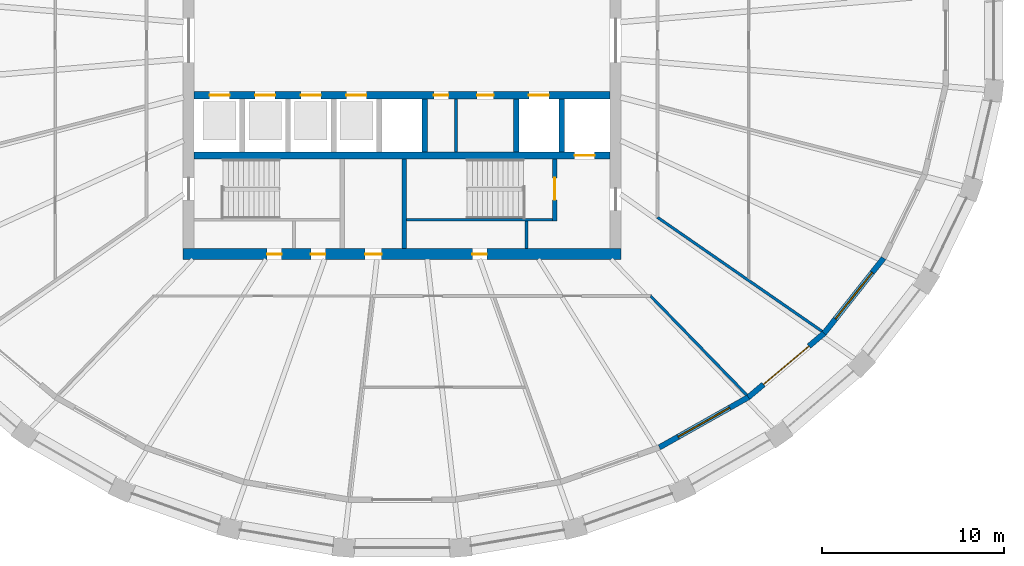
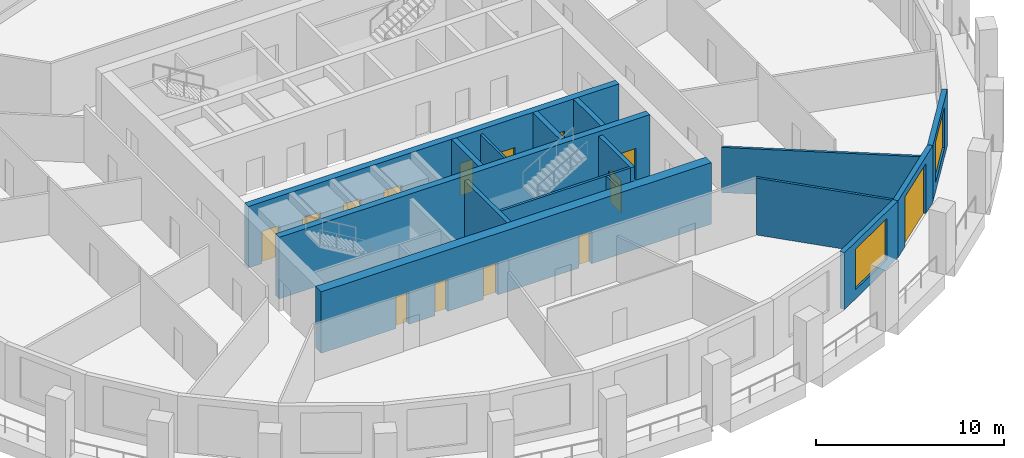
# One storey, part 4 of 10: 16 walls, 14 doors, 2 windows, 16 openings.
"""IFC4 building model written with IfcOpenShell, lengths in metres."""

from ifc_helpers import new_model, si_unit, direction, frame, frame_2d, origin, place, context, subcontext, project, spatial, polyline, rectangle, outline, extrude, material, layer, layer_set, type_object, element, fill, save


model = new_model("IFC4")

# Units and contexts
model_context = context("Model", 3, precision=1e-05, world=origin(), true_north=direction((0.0, 1.0)))
body_context = subcontext(model_context, "Body", "Model", "MODEL_VIEW")
ifc_project = project(units=[si_unit("LENGTHUNIT", "METRE"), si_unit("AREAUNIT", "SQUARE_METRE"), si_unit("VOLUMEUNIT", "CUBIC_METRE"), si_unit("PLANEANGLEUNIT", "RADIAN"), si_unit("MASSUNIT", "GRAM", prefix="KILO")], contexts=[model_context])

# Site, building, storey
site_placement = place(None, origin())
site = spatial("IfcSite", under=ifc_project, at=site_placement, CompositionType="ELEMENT")
building_placement = place(site_placement, origin())
building = spatial("IfcBuilding", under=site, at=building_placement, Name="Halqa Exchange Tower", CompositionType="ELEMENT")
storey_placement = place(building_placement, frame((0.0, 0.0, 190.89990234375)))
storey = spatial("IfcBuildingStorey", under=building, at=storey_placement, Name="L43", CompositionType="ELEMENT", Elevation=190.89990234375)

# Walls
ifc_material_1 = material(Name="Fire-rated gypsum board")
ifc_layer_1 = layer(ifc_material_1, 0.14990234375)
ifc_layer_set_1 = layer_set([ifc_layer_1], Name="Fire-rated gypsum board")
wall_type_1 = type_object("IfcWallType", Name="Fire partition EI 60 150", PredefinedType="PARTITIONING", material=ifc_layer_set_1)
wall_1_placement = place(storey_placement, frame((13.9677734375, -9.66748046875, 0.0), z_axis=(0.0, 0.0, 1.0), x_axis=(0.822097241007, -0.569347105313, 0.0)))
element("IfcWall", 1, at=wall_1_placement, inside=storey, type_object=wall_type_1, Name="L43-PWL-021", PredefinedType="PARTITIONING", context=body_context, shape_type="SweptSolid", body=[
    extrude(outline(polyline([(0.000244140625, -0.074951171875), (1.832275390625, -0.074951171875), (3.664306640625, -0.074951171875), (5.496337890625, -0.074951171875), (7.328125, -0.074951171875), (9.16015625, -0.074951171875), (10.9921875, -0.074951171875), (11.011962890625, -0.002197265625), (11.0166015625, 0.06982421875), (11.0166015625, 0.074951171875), (9.34912109375, 0.074951171875), (7.681640625, 0.074951171875), (6.01416015625, 0.074951171875), (6.01025390625, 0.072265625), (6.008544921875, 0.074951171875), (4.031982421875, 0.074951171875), (2.05517578125, 0.074951171875), (0.07861328125, 0.074951171875), (0.039306640625, -0.000244140625), (0.000244140625, -0.074951171875)])), origin(), (0.0, 0.0, 1.0), 2.947021484375),
])
wall_2_placement = place(storey_placement, frame((18.89306640625, -19.427001953125, 0.0), z_axis=(0.0, 0.0, 1.0), x_axis=(-0.696864554069, 0.717202756048, 0.0)))
element("IfcWall", 2, at=wall_2_placement, inside=storey, type_object=wall_type_1, Name="L43-PWL-025", PredefinedType="PARTITIONING", context=body_context, shape_type="SweptSolid", body=[
    extrude(outline(polyline([(0.0, -0.074951171875), (1.899658203125, -0.074951171875), (3.79931640625, -0.074951171875), (5.698974609375, -0.074951171875), (7.5986328125, -0.074951171875), (7.56689453125, 0.0), (7.53515625, 0.074951171875), (5.65771484375, 0.074951171875), (3.7802734375, 0.074951171875), (1.90283203125, 0.074951171875), (0.025390625, 0.074951171875), (0.0048828125, -0.002685546875), (0.0, -0.072998046875), (0.0, -0.074951171875)])), origin(), (0.0, 0.0, 1.0), 3.7001953125),
])
ifc_material_2 = material(Name="Gypsum board")
ifc_layer_2 = layer(ifc_material_2, 0.14990234375)
ifc_layer_set_2 = layer_set([ifc_layer_2], Name="Gypsum board")
wall_type_2 = type_object("IfcWallType", Name="Penthouse riser wall 150 gypsum", PredefinedType="PARTITIONING", material=ifc_layer_set_2)
wall_3_placement = place(storey_placement, frame((6.824951171875, -11.39990234375, 0.0), z_axis=(0.0, 0.0, 1.0), x_axis=(0.0, 1.0, 0.0)))
element("IfcWall", 3, at=wall_3_placement, inside=storey, type_object=wall_type_2, Name="Firefighting lobby west wall S", PredefinedType="PARTITIONING", context=body_context, shape_type="SweptSolid", body=[
    extrude(rectangle(XDim=1.5, YDim=0.14990234375, at=frame_2d((0.75, 0.0))), origin(), (0.0, 0.0, 1.0), 3.7001953125),
])
wall_4_placement = place(storey_placement, frame((2.949951171875, -6.10009765625, 0.0), z_axis=(0.0, 0.0, 1.0), x_axis=(0.0, 1.0, 0.0)))
element("IfcWall", 4, at=wall_4_placement, inside=storey, type_object=wall_type_2, Name="Freed bay partition SE2.950", PredefinedType="PARTITIONING", context=body_context, shape_type="SweptSolid", body=[
    extrude(rectangle(XDim=2.900146484375, YDim=0.14990234375, at=frame_2d((1.4501953125, 0.0))), origin(), (0.0, 0.0, 1.0), 3.7001953125),
])
ifc_material_3 = material(Name="Concrete C60/75", Category="concrete")
ifc_layer_3 = layer(ifc_material_3, 0.300048828125)
ifc_layer_set_3 = layer_set([ifc_layer_3], Name="Concrete C60/75")
wall_type_3 = type_object("IfcWallType", Name="RC core wall 300", PredefinedType="SHEAR", material=ifc_layer_set_3)
for number, where, z_axis, x_axis, name in (
    (5, (1.25, -6.10009765625, 0.0), (0.0, 0.0, 1.0), (0.0, 1.0, 0.0), "Shaft divider S5"),
    (6, (6.25, -6.10009765625, 0.0), (0.0, 0.0, 1.0), (0.0, 1.0, 0.0), "Shaft divider S7"),
    (7, (8.75, -6.10009765625, 0.0), (0.0, 0.0, 1.0), (0.0, 1.0, 0.0), "Shaft divider S8"),
):
    element("IfcWall", number, at=place(storey_placement, frame(where, z_axis=z_axis, x_axis=x_axis)), inside=storey, type_object=wall_type_3, Name=name, PredefinedType="SHEAR", context=body_context, shape_type="SweptSolid", body=[
        extrude(rectangle(XDim=2.900146484375, YDim=0.300048828125, at=frame_2d((1.4501953125, 0.0))), origin(), (0.0, 0.0, 1.0), 4.0),
    ])

# Wall, openings, doors
ifc_material_4 = material(Name="Concrete C70/85", Category="concrete")
ifc_layer_4 = layer(ifc_material_4, 0.39990234375)
ifc_layer_set_4 = layer_set([ifc_layer_4], Name="Concrete C70/85")
wall_type_4 = type_object("IfcWallType", Name="RC core wall 400 C70/85", PredefinedType="SHEAR", material=ifc_layer_set_4)
wall_5_placement = place(storey_placement, frame((-11.39990234375, -3.0, 0.0), z_axis=(0.0, 0.0, 1.0), x_axis=(1.0, 0.0, 0.0)))
wall_5 = element("IfcWall", 8, at=wall_5_placement, inside=storey, type_object=wall_type_4, Name="Lift row front wall S", PredefinedType="SHEAR", context=body_context, shape_type="SweptSolid", body=[
    extrude(rectangle(XDim=22.7998046875, YDim=0.39990234375, at=frame_2d((11.39990234375, 0.0))), origin(), (0.0, 0.0, 1.0), 4.0),
])
opening_1_placement = place(wall_5_placement, frame((0.85009765625, 0.0, 0.0)))
opening_1 = element("IfcOpeningElement", 9, at=opening_1_placement, cuts=wall_5, Name="Opening LD-HR3-T13", PredefinedType="OPENING", context=body_context, shape_type="SweptSolid", body=[
    extrude(rectangle(XDim=1.10009765625, YDim=2.10009765625, at=frame_2d((0.550048828125, 1.050048828125))), frame((0.0, 0.2119140625, 0.0), z_axis=(0.0, -1.0, 0.0), x_axis=(1.0, 0.0, 0.0)), (0.0, 0.0, 1.0), 0.423828125),
])
opening_2_placement = place(wall_5_placement, frame((3.35009765625, 0.0, 0.0)))
opening_2 = element("IfcOpeningElement", 10, at=opening_2_placement, cuts=wall_5, Name="Opening LD-HR4-T13", PredefinedType="OPENING", context=body_context, shape_type="SweptSolid", body=[
    extrude(rectangle(XDim=1.10009765625, YDim=2.10009765625, at=frame_2d((0.550048828125, 1.050048828125))), frame((0.0, 0.2119140625, 0.0), z_axis=(0.0, -1.0, 0.0), x_axis=(1.0, 0.0, 0.0)), (0.0, 0.0, 1.0), 0.423828125),
])
opening_3_placement = place(wall_5_placement, frame((5.85009765625, 0.0, 0.0)))
opening_3 = element("IfcOpeningElement", 11, at=opening_3_placement, cuts=wall_5, Name="Opening LD-MR3-T13", PredefinedType="OPENING", context=body_context, shape_type="SweptSolid", body=[
    extrude(rectangle(XDim=1.10009765625, YDim=2.10009765625, at=frame_2d((0.550048828125, 1.050048828125))), frame((0.0, 0.2119140625, 0.0), z_axis=(0.0, -1.0, 0.0), x_axis=(1.0, 0.0, 0.0)), (0.0, 0.0, 1.0), 0.423828125),
])
opening_4_placement = place(wall_5_placement, frame((8.35009765625, 0.0, 0.0)))
opening_4 = element("IfcOpeningElement", 12, at=opening_4_placement, cuts=wall_5, Name="Opening LD-MR4-T13", PredefinedType="OPENING", context=body_context, shape_type="SweptSolid", body=[
    extrude(rectangle(XDim=1.10009765625, YDim=2.10009765625, at=frame_2d((0.550048828125, 1.050048828125))), frame((0.0, 0.2119140625, 0.0), z_axis=(0.0, -1.0, 0.0), x_axis=(1.0, 0.0, 0.0)), (0.0, 0.0, 1.0), 0.423828125),
])
opening_5_placement = place(wall_5_placement, frame((18.35009765625, 0.0, 0.0)))
opening_5 = element("IfcOpeningElement", 13, at=opening_5_placement, cuts=wall_5, Name="Opening LD-SV2-T13", PredefinedType="OPENING", context=body_context, shape_type="SweptSolid", body=[
    extrude(rectangle(XDim=1.10009765625, YDim=2.10009765625, at=frame_2d((0.550048828125, 1.050048828125))), frame((0.0, 0.2119140625, 0.0), z_axis=(0.0, -1.0, 0.0), x_axis=(1.0, 0.0, 0.0)), (0.0, 0.0, 1.0), 0.423828125),
])
opening_6_placement = place(wall_5_placement, frame((13.137451171875, 0.0, 0.0)))
opening_6 = element("IfcOpeningElement", 14, at=opening_6_placement, cuts=wall_5, Name="Opening T13-C31", PredefinedType="OPENING", context=body_context, shape_type="SweptSolid", body=[
    extrude(rectangle(XDim=0.800048828125, YDim=2.10009765625, at=frame_2d((0.39990234375, 1.050048828125))), frame((0.0, 0.2119140625, 0.0), z_axis=(0.0, -1.0, 0.0), x_axis=(1.0, 0.0, 0.0)), (0.0, 0.0, 1.0), 0.423828125),
])
opening_7_placement = place(wall_5_placement, frame((15.512451171875, 0.0, 0.0)))
opening_7 = element("IfcOpeningElement", 15, at=opening_7_placement, cuts=wall_5, Name="Opening T13-C32", PredefinedType="OPENING", context=body_context, shape_type="SweptSolid", body=[
    extrude(rectangle(XDim=0.89990234375, YDim=2.10009765625, at=frame_2d((0.449951171875, 1.050048828125))), frame((0.0, 0.2119140625, 0.0), z_axis=(0.0, -1.0, 0.0), x_axis=(1.0, 0.0, 0.0)), (0.0, 0.0, 1.0), 0.423828125),
])
ifc_material_5 = material(Name="Timber fire door leaf", Category="wood")
door_type_1 = type_object("IfcDoorType", Name="Core room door FD30 900 x 2100", OperationType="SINGLE_SWING_LEFT", PredefinedType="DOOR", material=ifc_material_5)
door_1_placement = place(opening_7_placement, frame((0.89990234375, 0.0, 0.0), z_axis=(0.0, 0.0, 1.0), x_axis=(-1.0, 0.0, 0.0)))
door_1 = element("IfcDoor", 16, at=door_1_placement, inside=storey, type_object=door_type_1, Name="Core room door", OperationType="SINGLE_SWING_LEFT", OverallHeight=2.10009765625, OverallWidth=0.89990234375, PredefinedType="DOOR", context=body_context, shape_type="SweptSolid", body=[
    extrude(rectangle(XDim=0.89990234375, YDim=2.10009765625, at=frame_2d((0.449951171875, 1.050048828125))), frame((0.0, 0.02490234375, 0.0), z_axis=(0.0, -1.0, 0.0), x_axis=(1.0, 0.0, 0.0)), (0.0, 0.0, 1.0), 0.050048828125),
])
fill(opening_7, door_1)
ifc_material_6 = material(Name="Stainless steel", Category="steel")
door_type_2 = type_object("IfcDoorType", Name="Lift landing door 1100 x 2100", OperationType="SLIDING_TO_LEFT", PredefinedType="DOOR", material=ifc_material_6)
door_2_placement = place(opening_1_placement, origin())
door_2 = element("IfcDoor", 17, at=door_2_placement, inside=storey, type_object=door_type_2, Name="Lift landing door HR3", OperationType="SLIDING_TO_LEFT", OverallHeight=2.10009765625, OverallWidth=1.10009765625, PredefinedType="DOOR", context=body_context, shape_type="SweptSolid", body=[
    extrude(rectangle(XDim=1.10009765625, YDim=2.10009765625, at=frame_2d((0.550048828125, 1.050048828125))), frame((0.0, 0.02490234375, 0.0), z_axis=(0.0, -1.0, 0.0), x_axis=(1.0, 0.0, 0.0)), (0.0, 0.0, 1.0), 0.050048828125),
])
fill(opening_1, door_2)
door_3_placement = place(opening_2_placement, origin())
door_3 = element("IfcDoor", 18, at=door_3_placement, inside=storey, type_object=door_type_2, Name="Lift landing door HR4", OperationType="SLIDING_TO_LEFT", OverallHeight=2.10009765625, OverallWidth=1.10009765625, PredefinedType="DOOR", context=body_context, shape_type="SweptSolid", body=[
    extrude(rectangle(XDim=1.10009765625, YDim=2.10009765625, at=frame_2d((0.550048828125, 1.050048828125))), frame((0.0, 0.02490234375, 0.0), z_axis=(0.0, -1.0, 0.0), x_axis=(1.0, 0.0, 0.0)), (0.0, 0.0, 1.0), 0.050048828125),
])
fill(opening_2, door_3)
door_4_placement = place(opening_3_placement, origin())
door_4 = element("IfcDoor", 19, at=door_4_placement, inside=storey, type_object=door_type_2, Name="Lift landing door MR3", OperationType="SLIDING_TO_LEFT", OverallHeight=2.10009765625, OverallWidth=1.10009765625, PredefinedType="DOOR", context=body_context, shape_type="SweptSolid", body=[
    extrude(rectangle(XDim=1.10009765625, YDim=2.10009765625, at=frame_2d((0.550048828125, 1.050048828125))), frame((0.0, 0.02490234375, 0.0), z_axis=(0.0, -1.0, 0.0), x_axis=(1.0, 0.0, 0.0)), (0.0, 0.0, 1.0), 0.050048828125),
])
fill(opening_3, door_4)
door_5_placement = place(opening_4_placement, origin())
door_5 = element("IfcDoor", 20, at=door_5_placement, inside=storey, type_object=door_type_2, Name="Lift landing door MR4", OperationType="SLIDING_TO_LEFT", OverallHeight=2.10009765625, OverallWidth=1.10009765625, PredefinedType="DOOR", context=body_context, shape_type="SweptSolid", body=[
    extrude(rectangle(XDim=1.10009765625, YDim=2.10009765625, at=frame_2d((0.550048828125, 1.050048828125))), frame((0.0, 0.02490234375, 0.0), z_axis=(0.0, -1.0, 0.0), x_axis=(1.0, 0.0, 0.0)), (0.0, 0.0, 1.0), 0.050048828125),
])
fill(opening_4, door_5)
door_6_placement = place(opening_5_placement, origin())
door_6 = element("IfcDoor", 21, at=door_6_placement, inside=storey, type_object=door_type_2, Name="Lift landing door SV2", OperationType="SLIDING_TO_LEFT", OverallHeight=2.10009765625, OverallWidth=1.10009765625, PredefinedType="DOOR", context=body_context, shape_type="SweptSolid", body=[
    extrude(rectangle(XDim=1.10009765625, YDim=2.10009765625, at=frame_2d((0.550048828125, 1.050048828125))), frame((0.0, 0.02490234375, 0.0), z_axis=(0.0, -1.0, 0.0), x_axis=(1.0, 0.0, 0.0)), (0.0, 0.0, 1.0), 0.050048828125),
])
fill(opening_5, door_6)
ifc_material_7 = material(Name="Steel fire door leaf", Category="steel")
door_type_3 = type_object("IfcDoorType", Name="Riser door FD60 800 x 2100", OperationType="SINGLE_SWING_LEFT", PredefinedType="DOOR", material=ifc_material_7)
door_7_placement = place(opening_6_placement, frame((0.800048828125, 0.0, 0.0), z_axis=(0.0, 0.0, 1.0), x_axis=(-1.0, 0.0, 0.0)))
door_7 = element("IfcDoor", 22, at=door_7_placement, inside=storey, type_object=door_type_3, Name="Core room door", OperationType="SINGLE_SWING_LEFT", OverallHeight=2.10009765625, OverallWidth=0.800048828125, PredefinedType="DOOR", context=body_context, shape_type="SweptSolid", body=[
    extrude(rectangle(XDim=0.800048828125, YDim=2.10009765625, at=frame_2d((0.39990234375, 1.050048828125))), frame((0.0, 0.02490234375, 0.0), z_axis=(0.0, -1.0, 0.0), x_axis=(1.0, 0.0, 0.0)), (0.0, 0.0, 1.0), 0.050048828125),
])
fill(opening_6, door_7)

# Wall, opening, door
wall_6_placement = place(storey_placement, frame((-11.39990234375, -6.300048828125, 0.0), z_axis=(0.0, 0.0, 1.0), x_axis=(1.0, 0.0, 0.0)))
wall_6 = element("IfcWall", 23, at=wall_6_placement, inside=storey, type_object=wall_type_4, Name="Lift row back wall S", PredefinedType="SHEAR", context=body_context, shape_type="SweptSolid", body=[
    extrude(rectangle(XDim=22.7998046875, YDim=0.39990234375, at=frame_2d((11.39990234375, 0.0))), origin(), (0.0, 0.0, 1.0), 4.0),
])
opening_8_placement = place(wall_6_placement, frame((20.85009765625, 0.0, 0.0)))
opening_8 = element("IfcOpeningElement", 24, at=opening_8_placement, cuts=wall_6, Name="Opening LD-FF2-T13", PredefinedType="OPENING", context=body_context, shape_type="SweptSolid", body=[
    extrude(rectangle(XDim=1.10009765625, YDim=2.10009765625, at=frame_2d((0.550048828125, 1.050048828125))), frame((0.0, 0.2119140625, 0.0), z_axis=(0.0, -1.0, 0.0), x_axis=(1.0, 0.0, 0.0)), (0.0, 0.0, 1.0), 0.423828125),
])
door_8_placement = place(opening_8_placement, origin())
door_8 = element("IfcDoor", 25, at=door_8_placement, inside=storey, type_object=door_type_2, Name="Lift landing door FF2", OperationType="SLIDING_TO_LEFT", OverallHeight=2.10009765625, OverallWidth=1.10009765625, PredefinedType="DOOR", context=body_context, shape_type="SweptSolid", body=[
    extrude(rectangle(XDim=1.10009765625, YDim=2.10009765625, at=frame_2d((0.550048828125, 1.050048828125))), frame((0.0, 0.02490234375, 0.0), z_axis=(0.0, -1.0, 0.0), x_axis=(1.0, 0.0, 0.0)), (0.0, 0.0, 1.0), 0.050048828125),
])
fill(opening_8, door_8)

# Wall, openings, doors
ifc_layer_5 = layer(ifc_material_4, 0.60009765625)
ifc_layer_set_5 = layer_set([ifc_layer_5], Name="Concrete C70/85")
wall_type_5 = type_object("IfcWallType", Name="RC core wall 600 C70/85", PredefinedType="SHEAR", material=ifc_layer_set_5)
wall_7_placement = place(storey_placement, frame((-12.0, -11.699951171875, 0.0), z_axis=(0.0, 0.0, 1.0), x_axis=(1.0, 0.0, 0.0)))
wall_7 = element("IfcWall", 26, at=wall_7_placement, inside=storey, type_object=wall_type_5, Name="Core wall south", PredefinedType="SHEAR", context=body_context, shape_type="SweptSolid", body=[
    extrude(rectangle(XDim=24.0, YDim=0.60009765625, at=frame_2d((12.0, 0.0))), origin(), (0.0, 0.0, 1.0), 4.0),
])
opening_9_placement = place(wall_7_placement, frame((9.97509765625, 0.0, 0.0)))
opening_9 = element("IfcOpeningElement", 27, at=opening_9_placement, cuts=wall_7, Name="Opening T13-C25", PredefinedType="OPENING", context=body_context, shape_type="SweptSolid", body=[
    extrude(rectangle(XDim=0.89990234375, YDim=2.10009765625, at=frame_2d((0.449951171875, 1.050048828125))), frame((0.0, 0.31201171875, 0.0), z_axis=(0.0, -1.0, 0.0), x_axis=(1.0, 0.0, 0.0)), (0.0, 0.0, 1.0), 0.6240234375),
])
opening_10_placement = place(wall_7_placement, frame((4.60009765625, 0.0, 0.0)))
opening_10 = element("IfcOpeningElement", 28, at=opening_10_placement, cuts=wall_7, Name="Opening T13-C26", PredefinedType="OPENING", context=body_context, shape_type="SweptSolid", body=[
    extrude(rectangle(XDim=0.800048828125, YDim=2.10009765625, at=frame_2d((0.39990234375, 1.050048828125))), frame((0.0, 0.31201171875, 0.0), z_axis=(0.0, -1.0, 0.0), x_axis=(1.0, 0.0, 0.0)), (0.0, 0.0, 1.0), 0.6240234375),
])
opening_11_placement = place(wall_7_placement, frame((7.0, 0.0, 0.0)))
opening_11 = element("IfcOpeningElement", 29, at=opening_11_placement, cuts=wall_7, Name="Opening T13-C27", PredefinedType="OPENING", context=body_context, shape_type="SweptSolid", body=[
    extrude(rectangle(XDim=0.800048828125, YDim=2.10009765625, at=frame_2d((0.39990234375, 1.050048828125))), frame((0.0, 0.31201171875, 0.0), z_axis=(0.0, -1.0, 0.0), x_axis=(1.0, 0.0, 0.0)), (0.0, 0.0, 1.0), 0.6240234375),
])
opening_12_placement = place(wall_7_placement, frame((15.85009765625, 0.0, 0.0)))
opening_12 = element("IfcOpeningElement", 30, at=opening_12_placement, cuts=wall_7, Name="Opening T13-C28", PredefinedType="OPENING", context=body_context, shape_type="SweptSolid", body=[
    extrude(rectangle(XDim=0.800048828125, YDim=2.10009765625, at=frame_2d((0.39990234375, 1.050048828125))), frame((0.0, 0.31201171875, 0.0), z_axis=(0.0, -1.0, 0.0), x_axis=(1.0, 0.0, 0.0)), (0.0, 0.0, 1.0), 0.6240234375),
])
door_9_placement = place(opening_9_placement, origin())
door_9 = element("IfcDoor", 31, at=door_9_placement, inside=storey, type_object=door_type_1, Name="Core room door", OperationType="SINGLE_SWING_RIGHT", OverallHeight=2.10009765625, OverallWidth=0.89990234375, PredefinedType="DOOR", context=body_context, shape_type="SweptSolid", body=[
    extrude(rectangle(XDim=0.89990234375, YDim=2.10009765625, at=frame_2d((0.449951171875, 1.050048828125))), frame((0.0, 0.02490234375, 0.0), z_axis=(0.0, -1.0, 0.0), x_axis=(1.0, 0.0, 0.0)), (0.0, 0.0, 1.0), 0.050048828125),
])
fill(opening_9, door_9)
door_10_placement = place(opening_10_placement, origin())
door_10 = element("IfcDoor", 32, at=door_10_placement, inside=storey, type_object=door_type_3, Name="Core room door", OperationType="SINGLE_SWING_LEFT", OverallHeight=2.10009765625, OverallWidth=0.800048828125, PredefinedType="DOOR", context=body_context, shape_type="SweptSolid", body=[
    extrude(rectangle(XDim=0.800048828125, YDim=2.10009765625, at=frame_2d((0.39990234375, 1.050048828125))), frame((0.0, 0.02490234375, 0.0), z_axis=(0.0, -1.0, 0.0), x_axis=(1.0, 0.0, 0.0)), (0.0, 0.0, 1.0), 0.050048828125),
])
fill(opening_10, door_10)
door_11_placement = place(opening_11_placement, origin())
door_11 = element("IfcDoor", 33, at=door_11_placement, inside=storey, type_object=door_type_3, Name="Core room door", OperationType="SINGLE_SWING_RIGHT", OverallHeight=2.10009765625, OverallWidth=0.800048828125, PredefinedType="DOOR", context=body_context, shape_type="SweptSolid", body=[
    extrude(rectangle(XDim=0.800048828125, YDim=2.10009765625, at=frame_2d((0.39990234375, 1.050048828125))), frame((0.0, 0.02490234375, 0.0), z_axis=(0.0, -1.0, 0.0), x_axis=(1.0, 0.0, 0.0)), (0.0, 0.0, 1.0), 0.050048828125),
])
fill(opening_11, door_11)
door_12_placement = place(opening_12_placement, origin())
door_12 = element("IfcDoor", 34, at=door_12_placement, inside=storey, type_object=door_type_3, Name="Core room door", OperationType="SINGLE_SWING_LEFT", OverallHeight=2.10009765625, OverallWidth=0.800048828125, PredefinedType="DOOR", context=body_context, shape_type="SweptSolid", body=[
    extrude(rectangle(XDim=0.800048828125, YDim=2.10009765625, at=frame_2d((0.39990234375, 1.050048828125))), frame((0.0, 0.02490234375, 0.0), z_axis=(0.0, -1.0, 0.0), x_axis=(1.0, 0.0, 0.0)), (0.0, 0.0, 1.0), 0.050048828125),
])
fill(opening_12, door_12)

# Walls
ifc_material_8 = material(Name="Concrete C30/37", Category="concrete")
ifc_layer_6 = layer(ifc_material_8, 0.14990234375)
ifc_layer_set_6 = layer_set([ifc_layer_6], Name="Concrete C30/37")
wall_type_6 = type_object("IfcWallType", Name="RC stair wall 150 C30/37", PredefinedType="SHEAR", material=ifc_layer_set_6)
wall_8_placement = place(storey_placement, frame((0.25, -9.824951171875, 0.0), z_axis=(0.0, 0.0, 1.0), x_axis=(1.0, 0.0, 0.0)))
element("IfcWall", 35, at=wall_8_placement, inside=storey, type_object=wall_type_6, Name="Stair ST2 north wall S", PredefinedType="SHEAR", context=body_context, shape_type="SweptSolid", body=[
    extrude(rectangle(XDim=8.0, YDim=0.14990234375, at=frame_2d((4.0, 0.0))), origin(), (0.0, 0.0, 1.0), 3.7001953125),
])
ifc_layer_7 = layer(ifc_material_8, 0.25)
ifc_layer_set_7 = layer_set([ifc_layer_7], Name="Concrete C30/37")
wall_type_7 = type_object("IfcWallType", Name="RC stair wall 250 C30/37", PredefinedType="SHEAR", material=ifc_layer_set_7)
wall_9_placement = place(storey_placement, frame((0.125, -11.39990234375, 0.0), z_axis=(0.0, 0.0, 1.0), x_axis=(0.0, 1.0, 0.0)))
element("IfcWall", 36, at=wall_9_placement, inside=storey, type_object=wall_type_7, Name="Stair ST2 west wall S", PredefinedType="SHEAR", context=body_context, shape_type="SweptSolid", body=[
    extrude(rectangle(XDim=4.89990234375, YDim=0.25, at=frame_2d((2.449951171875, 0.0))), origin(), (0.0, 0.0, 1.0), 3.7001953125),
])

# Wall, opening, door
wall_10_placement = place(storey_placement, frame((8.375, -9.89990234375, 0.0), z_axis=(0.0, 0.0, 1.0), x_axis=(0.0, 1.0, 0.0)))
wall_10 = element("IfcWall", 37, at=wall_10_placement, inside=storey, type_object=wall_type_7, Name="Stair ST2 east wall S", PredefinedType="SHEAR", context=body_context, shape_type="SweptSolid", body=[
    extrude(rectangle(XDim=3.39990234375, YDim=0.25, at=frame_2d((1.699951171875, 0.0))), origin(), (0.0, 0.0, 1.0), 3.7001953125),
])
opening_13_placement = place(wall_10_placement, frame((1.175048828125, 0.0, 0.0)))
opening_13 = element("IfcOpeningElement", 38, at=opening_13_placement, cuts=wall_10, Name="Opening T13-C18", PredefinedType="OPENING", context=body_context, shape_type="SweptSolid", body=[
    extrude(rectangle(XDim=1.199951171875, YDim=2.10009765625, at=frame_2d((0.60009765625, 1.050048828125))), frame((0.0, 0.136962890625, 0.0), z_axis=(0.0, -1.0, 0.0), x_axis=(1.0, 0.0, 0.0)), (0.0, 0.0, 1.0), 0.27392578125),
])
door_type_4 = type_object("IfcDoorType", Name="Stair door FD90 1200 x 2100", OperationType="SINGLE_SWING_LEFT", PredefinedType="DOOR", material=ifc_material_7)
door_13_placement = place(opening_13_placement, origin())
door_13 = element("IfcDoor", 39, at=door_13_placement, inside=storey, type_object=door_type_4, Name="Stair door ST4", OperationType="SINGLE_SWING_RIGHT", OverallHeight=2.10009765625, OverallWidth=1.199951171875, PredefinedType="DOOR", context=body_context, shape_type="SweptSolid", body=[
    extrude(rectangle(XDim=1.199951171875, YDim=2.10009765625, at=frame_2d((0.60009765625, 1.050048828125))), frame((0.0, 0.02490234375, 0.0), z_axis=(0.0, -1.0, 0.0), x_axis=(1.0, 0.0, 0.0)), (0.0, 0.0, 1.0), 0.050048828125),
])
fill(opening_13, door_13)

# Wall, opening, window
ifc_material_9 = material(Name="Limestone cladding", Category="masonry")
ifc_layer_8 = layer(ifc_material_9, 0.0400390625)
ifc_material_10 = material(Name="Ventilated cavity")
ifc_layer_9 = layer(ifc_material_10, 0.030029296875, ventilated=True)
ifc_material_11 = material(Name="Mineral wool insulation")
ifc_layer_10 = layer(ifc_material_11, 0.10009765625)
ifc_layer_11 = layer(ifc_material_8, 0.10009765625)
ifc_material_12 = material(Name="Internal plaster")
ifc_layer_12 = layer(ifc_material_12, 0.030029296875)
ifc_layer_set_8 = layer_set([ifc_layer_8, ifc_layer_9, ifc_layer_10, ifc_layer_11, ifc_layer_12], Name="Stone-faced insulated wall 300")
wall_type_8 = type_object("IfcWallType", Name="Stone-faced insulated wall 300", PredefinedType="STANDARD", material=ifc_layer_set_8)
wall_11_placement = place(storey_placement, frame((14.099853515625, -22.29541015625, 0.0), z_axis=(0.0, 0.0, 1.0), x_axis=(0.871083701819, 0.491134588912, 0.0)))
wall_11 = element("IfcWall", 40, at=wall_11_placement, inside=storey, type_object=wall_type_8, Name="Glass-line wall 27", PredefinedType="STANDARD", context=body_context, shape_type="SweptSolid", body=[
    extrude(outline(polyline([(-0.013427734375, -0.14990234375), (5.613525390625, -0.14990234375), (5.585205078125, 0.14990234375), (0.013427734375, 0.14990234375), (-0.013427734375, -0.14990234375)])), origin(), (0.0, 0.0, 1.0), 3.7001953125),
])
opening_14_placement = place(wall_11_placement, frame((1.1748046875, 0.0, 0.60009765625)))
opening_14 = element("IfcOpeningElement", 41, at=opening_14_placement, cuts=wall_11, Name="Opening W-F3-27", PredefinedType="OPENING", context=body_context, shape_type="SweptSolid", body=[
    extrude(rectangle(XDim=3.25, YDim=2.64990234375, at=frame_2d((1.625, 1.324951171875))), frame((0.0, 0.162109375, 0.0), z_axis=(0.0, -1.0, 0.0), x_axis=(1.0, 0.0, 0.0)), (0.0, 0.0, 1.0), 0.323974609375),
])
ifc_material_13 = material(Name="Clear low-emissivity glass in aluminium frame", Category="aluminium")
window_type = type_object("IfcWindowType", Name="Fixed clear glazed window 3250 x 2650", PartitioningType="TRIPLE_PANEL_VERTICAL", PredefinedType="WINDOW", material=ifc_material_13)
window_1_placement = place(opening_14_placement, origin())
window_1 = element("IfcWindow", 42, at=window_1_placement, inside=storey, type_object=window_type, Name="Window 3", OverallHeight=2.64990234375, OverallWidth=3.25, PartitioningType="TRIPLE_PANEL_VERTICAL", PredefinedType="WINDOW", context=body_context, shape_type="SweptSolid", body=[
    extrude(rectangle(XDim=3.25, YDim=2.64990234375, at=frame_2d((1.625, 1.324951171875))), frame((0.0, 0.030029296875, 0.0), z_axis=(0.0, -1.0, 0.0), x_axis=(1.0, 0.0, 0.0)), (0.0, 0.0, 1.0), 0.06005859375),
])
fill(opening_14, window_1)

# Wall, opening, door
wall_12_placement = place(storey_placement, frame((18.977294921875, -19.54541015625, 0.0), z_axis=(0.0, 0.0, 1.0), x_axis=(0.764330261608, 0.644824977176, 0.0)))
wall_12 = element("IfcWall", 43, at=wall_12_placement, inside=storey, type_object=wall_type_8, Name="Glass-line wall 28", PredefinedType="STANDARD", context=body_context, shape_type="SweptSolid", body=[
    extrude(outline(polyline([(-0.01416015625, -0.14990234375), (5.4453125, -0.14990234375), (5.4150390625, 0.14990234375), (0.01416015625, 0.14990234375), (-0.01416015625, -0.14990234375)])), origin(), (0.0, 0.0, 1.0), 3.7001953125),
])
opening_15_placement = place(wall_12_placement, frame((1.090087890625, 0.0, 0.0)))
opening_15 = element("IfcOpeningElement", 44, at=opening_15_placement, cuts=wall_12, Name="Opening LG-F3-07", PredefinedType="OPENING", context=body_context, shape_type="SweptSolid", body=[
    extrude(rectangle(XDim=3.25, YDim=3.25, at=frame_2d((1.625, 1.625))), frame((0.0, 0.162109375, 0.0), z_axis=(0.0, -1.0, 0.0), x_axis=(1.0, 0.0, 0.0)), (0.0, 0.0, 1.0), 0.323974609375),
])
door_type_5 = type_object("IfcDoorType", Name="Glazed sliding loggia door 3250 x 3250", OperationType="DOUBLE_DOOR_SLIDING", PredefinedType="DOOR", material=ifc_material_13)
door_14_placement = place(opening_15_placement, origin())
door_14 = element("IfcDoor", 45, at=door_14_placement, inside=storey, type_object=door_type_5, Name="Loggia door 7", OperationType="DOUBLE_DOOR_SLIDING", OverallHeight=3.25, OverallWidth=3.25, PredefinedType="DOOR", context=body_context, shape_type="SweptSolid", body=[
    extrude(rectangle(XDim=3.25, YDim=3.25, at=frame_2d((1.625, 1.625))), frame((0.0, 0.02490234375, 0.0), z_axis=(0.0, -1.0, 0.0), x_axis=(1.0, 0.0, 0.0)), (0.0, 0.0, 1.0), 0.050048828125),
])
fill(opening_15, door_14)

# Wall, opening, window
wall_13_placement = place(storey_placement, frame((23.127685546875, -16.0439453125, 0.0), z_axis=(0.0, 0.0, 1.0), x_axis=(0.620829074232, 0.783945955145, 0.0)))
wall_13 = element("IfcWall", 46, at=wall_13_placement, inside=storey, type_object=wall_type_8, Name="Glass-line wall 29", PredefinedType="STANDARD", context=body_context, shape_type="SweptSolid", body=[
    extrude(outline(polyline([(-0.01513671875, -0.14990234375), (5.27099609375, -0.14990234375), (5.23876953125, 0.14990234375), (0.01513671875, 0.14990234375), (-0.01513671875, -0.14990234375)])), origin(), (0.0, 0.0, 1.0), 3.7001953125),
])
opening_16_placement = place(wall_13_placement, frame((1.002685546875, 0.0, 0.60009765625)))
opening_16 = element("IfcOpeningElement", 47, at=opening_16_placement, cuts=wall_13, Name="Opening W-F3-29", PredefinedType="OPENING", context=body_context, shape_type="SweptSolid", body=[
    extrude(rectangle(XDim=3.25, YDim=2.64990234375, at=frame_2d((1.625, 1.324951171875))), frame((0.0, 0.162109375, 0.0), z_axis=(0.0, -1.0, 0.0), x_axis=(1.0, 0.0, 0.0)), (0.0, 0.0, 1.0), 0.323974609375),
])
window_2_placement = place(opening_16_placement, origin())
window_2 = element("IfcWindow", 48, at=window_2_placement, inside=storey, type_object=window_type, Name="Window 3", OverallHeight=2.64990234375, OverallWidth=3.25, PartitioningType="TRIPLE_PANEL_VERTICAL", PredefinedType="WINDOW", context=body_context, shape_type="SweptSolid", body=[
    extrude(rectangle(XDim=3.25, YDim=2.64990234375, at=frame_2d((1.625, 1.324951171875))), frame((0.0, 0.030029296875, 0.0), z_axis=(0.0, -1.0, 0.0), x_axis=(1.0, 0.0, 0.0)), (0.0, 0.0, 1.0), 0.06005859375),
])
fill(opening_16, window_2)

save(model, "model.ifc")
